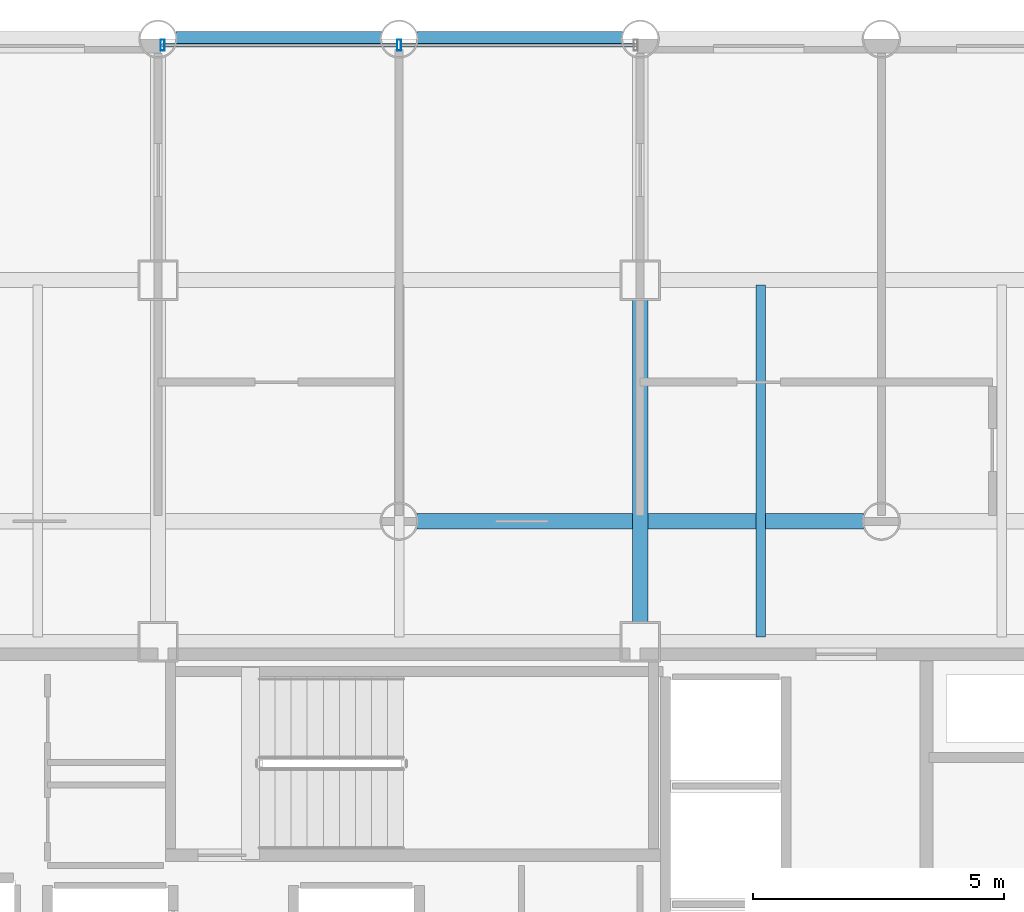
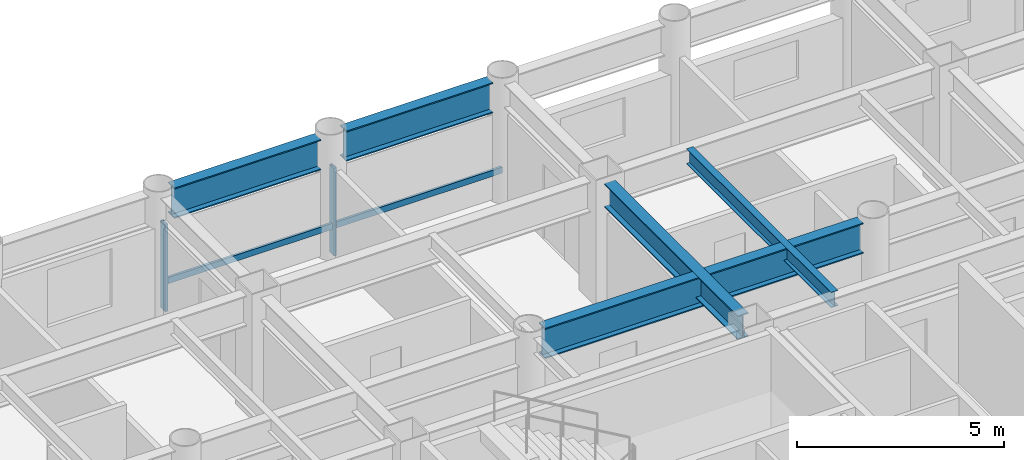
# One storey, part 11 of 20: 5 beams, 4 members, 1 element without a shape of its own.
"""IFC4 building model written with IfcOpenShell, lengths in metres."""

import ifcopenshell
import ifcopenshell.guid

model = None  # the IFC model being written
_history = None  # IfcOwnerHistory: only IFC2X3 demands one
_inside = {}  # id of a spatial element -> (the spatial element, [elements in it])
_under = {}  # id of a project, library or spatial element -> (it, [spatial elements below it])
_declared = {}  # id of a project -> (the project, [libraries it declares])
_typed = {}  # id of a type object -> (the type object, [elements of that type])
_made_of = {}  # id of a material, layer set ... -> (it, [elements and type objects made of it])


def new_model(schema):
    """Start an empty IFC model of exactly this schema.

    Asked for "IFC4X3", IfcOpenShell would pick the latest addendum, in which some entities
    have other attributes; the version numbers below select the first issue.
    IFC2X3 requires an IfcOwnerHistory on every rooted entity: one is made here for all.
    """
    global model, _history
    if schema == "IFC4X3":
        model = ifcopenshell.file(schema_version=(4, 3, 0, 0))
    else:
        model = ifcopenshell.file(schema=schema)
    _inside.clear()
    _under.clear()
    _declared.clear()
    _typed.clear()
    _made_of.clear()
    _history = None
    if model.schema == "IFC2X3":
        org = make("IfcOrganization", Name="unknown")
        user = make(
            "IfcPersonAndOrganization",
            ThePerson=make("IfcPerson", FamilyName="unknown"),
            TheOrganization=org,
        )
        app = make(
            "IfcApplication",
            ApplicationDeveloper=org,
            Version="unknown",
            ApplicationFullName="unknown",
            ApplicationIdentifier="unknown",
        )
        _history = make(
            "IfcOwnerHistory",
            OwningUser=user,
            OwningApplication=app,
            ChangeAction="ADDED",
            CreationDate=0,
        )
    return model


def make(cls, **values):
    """One entity of the class cls with the attributes given. An attribute that is None is left unset."""
    return model.create_entity(
        cls, **{name: value for name, value in values.items() if value is not None}
    )


def rooted(cls, **values):
    """An entity with a GlobalId (a new one), such as an element, a storey or a relation."""
    return make(cls, GlobalId=ifcopenshell.guid.new(), OwnerHistory=_history, **values)


def si_unit(unit_type, name, prefix=None):
    """IfcSIUnit, for example si_unit("LENGTHUNIT", "METRE", prefix="MILLI")."""
    return make("IfcSIUnit", UnitType=unit_type, Prefix=prefix, Name=name)


def assignment(units):
    """IfcUnitAssignment: the units of a project."""
    return None if units is None else make("IfcUnitAssignment", Units=units)


def point(xyz):
    """IfcCartesianPoint."""
    return None if xyz is None else make("IfcCartesianPoint", Coordinates=xyz)


def direction(xyz):
    """IfcDirection."""
    return None if xyz is None else make("IfcDirection", DirectionRatios=xyz)


def frame(location, z_axis=None, x_axis=None):
    """IfcAxis2Placement3D, a coordinate frame: its origin and axes. An axis left out is left unset."""
    return make(
        "IfcAxis2Placement3D",
        Location=point(location),
        Axis=direction(z_axis),
        RefDirection=direction(x_axis),
    )


def frame_2d(location, x_axis=None):
    """IfcAxis2Placement2D, a coordinate frame in the plane: its origin and x axis."""
    return make(
        "IfcAxis2Placement2D", Location=point(location), RefDirection=direction(x_axis)
    )


def origin():
    """The frame at (0, 0, 0) with its axes left unset."""
    return frame((0.0, 0.0, 0.0))


def origin_2d():
    """The frame at (0, 0) in the plane with its x axis left unset."""
    return frame_2d((0.0, 0.0))


def place(relative_to, where):
    """IfcLocalPlacement: puts the frame where relative to a parent placement (None: the world)."""
    return make(
        "IfcLocalPlacement", PlacementRelTo=relative_to, RelativePlacement=where
    )


def context(
    kind, dimensions, precision=None, world=None, true_north=None, identifier=None
):
    """IfcGeometricRepresentationContext, for example the 3D "Model" context."""
    return make(
        "IfcGeometricRepresentationContext",
        ContextIdentifier=identifier,
        ContextType=kind,
        CoordinateSpaceDimension=dimensions,
        Precision=precision,
        WorldCoordinateSystem=world,
        TrueNorth=true_north,
    )


def subcontext(parent, identifier, kind, view, scale=None):
    """IfcGeometricRepresentationSubContext, for example "Body" below "Model"."""
    return make(
        "IfcGeometricRepresentationSubContext",
        ContextIdentifier=identifier,
        ContextType=kind,
        ParentContext=parent,
        TargetScale=scale,
        TargetView=view,
    )


def project(units=None, contexts=None):
    """IfcProject with its units and contexts."""
    return rooted(
        "IfcProject",
        Name="project",
        RepresentationContexts=contexts,
        UnitsInContext=assignment(units),
    )


def spatial(cls, under=None, at=None, **own):
    """A site, building, storey or space (cls), placed at a placement, below another one or the project."""
    s = rooted(cls, ObjectPlacement=at, **own)
    if under is not None:
        _under.setdefault(under.id(), (under, []))[1].append(s)
    return s


def profile(cls, at=None, kind="AREA", **sizes):
    """A parametric profile (cls). Its sizes go by their IFC names, for example OverallWidth=200.0."""
    return make(cls, ProfileType=kind, Position=at, **sizes)


def hollow_rectangle(**sizes):
    """IfcRectangleHollowProfileDef."""
    return profile("IfcRectangleHollowProfileDef", **sizes)


def i_section(**sizes):
    """IfcIShapeProfileDef."""
    return profile("IfcIShapeProfileDef", **sizes)


def extrude(swept, where, along, depth):
    """IfcExtrudedAreaSolid: the profile swept, set in the frame where, extruded along a direction by depth."""
    return make(
        "IfcExtrudedAreaSolid",
        SweptArea=swept,
        Position=where,
        ExtrudedDirection=direction(along),
        Depth=depth,
    )


def shape(context_of_items, identifier, shape_type, items):
    """IfcShapeRepresentation: the items that make up one representation, for example the "Body"."""
    return make(
        "IfcShapeRepresentation",
        ContextOfItems=context_of_items,
        RepresentationIdentifier=identifier,
        RepresentationType=shape_type,
        Items=items,
    )


def material(Name=None, Category=None):
    """IfcMaterial."""
    return make("IfcMaterial", Name=Name, Category=Category)


def layer(
    of_material, thickness, ventilated=None, Name=None, Category=None, Priority=None
):
    """IfcMaterialLayer: one layer of a wall or slab, of a material (None: an air gap)."""
    return make(
        "IfcMaterialLayer",
        Material=of_material,
        LayerThickness=thickness,
        IsVentilated=ventilated,
        Name=Name,
        Category=Category,
        Priority=Priority,
    )


def layer_set(layers, Name=None):
    """IfcMaterialLayerSet."""
    return make("IfcMaterialLayerSet", MaterialLayers=layers, LayerSetName=Name)


def material_profile(
    of_material, cross_section, Name=None, Category=None, Priority=None
):
    """IfcMaterialProfile: a cross section and its material."""
    return make(
        "IfcMaterialProfile",
        Name=Name,
        Material=of_material,
        Profile=cross_section,
        Priority=Priority,
        Category=Category,
    )


def profile_set(profiles, Name=None, composite=None):
    """IfcMaterialProfileSet."""
    return make(
        "IfcMaterialProfileSet",
        Name=Name,
        MaterialProfiles=profiles,
        CompositeProfile=composite,
    )


def made_of(thing, what):
    """Note that an element or type object is made of a material, layer set ...; save() writes the relation."""
    if what is not None:
        _made_of.setdefault(what.id(), (what, []))[1].append(thing)
    return thing


def type_object(cls, material=None, **own):
    """A type object (cls), such as IfcWallType, which elements share."""
    return made_of(rooted(cls, **own), material)


def element(
    cls,
    number,
    at=None,
    inside=None,
    cuts=None,
    type_object=None,
    material=None,
    context=None,
    identifier="Body",
    shape_type=None,
    held_by="IfcProductDefinitionShape",
    body=None,
    shapes=None,
    **own,
):
    """One element of the class cls, such as IfcWall. Its Tag is "e" and its number.

    at: its placement. inside: the storey or other place that contains it. cuts: it is an
    opening in that element (IfcRelVoidsElement). A single representation is given by context,
    identifier, shape_type and body (its items); several are given by shapes. held_by: the class
    of the entity that holds the representations. save() writes the other relations.
    """
    e = rooted(cls, Tag="e%d" % number, ObjectPlacement=at, **own)
    if body is not None:
        shapes = [shape(context, identifier, shape_type, body)]
    if shapes is not None:
        e.Representation = make(held_by, Representations=shapes)
    if inside is not None:
        _inside.setdefault(inside.id(), (inside, []))[1].append(e)
    if cuts is not None:
        rooted(
            "IfcRelVoidsElement", RelatingBuildingElement=cuts, RelatedOpeningElement=e
        )
    if type_object is not None:
        _typed.setdefault(type_object.id(), (type_object, []))[1].append(e)
    return made_of(e, material)


def aggregate(whole, parts):
    """IfcRelAggregates: a whole, such as a stair, and the parts it consists of."""
    return rooted("IfcRelAggregates", RelatingObject=whole, RelatedObjects=parts)


def save(model, path):
    """Write the relations noted so far, then the file.

    IfcRelAggregates (storeys below a building ...), IfcRelContainedInSpatialStructure (elements
    in a storey), IfcRelDefinesByType, IfcRelAssociatesMaterial and IfcRelDeclares: one each for
    every whole, place, type object, material and project.
    """
    for whole, parts in _under.values():
        aggregate(whole, parts)
    for where, things in _inside.values():
        rooted(
            "IfcRelContainedInSpatialStructure",
            RelatedElements=things,
            RelatingStructure=where,
        )
    for kind, things in _typed.values():
        rooted("IfcRelDefinesByType", RelatedObjects=things, RelatingType=kind)
    for what, things in _made_of.values():
        rooted("IfcRelAssociatesMaterial", RelatedObjects=things, RelatingMaterial=what)
    for by, libraries in _declared.values():
        rooted("IfcRelDeclares", RelatingContext=by, RelatedDefinitions=libraries)
    model.write(path)


model = new_model("IFC4")

# Units and contexts
model_context = context("Model", 3, precision=1e-05, world=origin(), true_north=direction((0.0, 1.0)))
body_context = subcontext(model_context, "Body", "Model", "MODEL_VIEW")
ifc_project = project(units=[si_unit("LENGTHUNIT", "METRE"), si_unit("AREAUNIT", "SQUARE_METRE"), si_unit("VOLUMEUNIT", "CUBIC_METRE"), si_unit("PLANEANGLEUNIT", "RADIAN"), si_unit("MASSUNIT", "GRAM", prefix="KILO")], contexts=[model_context])

# Site, building, storey
site_placement = place(None, origin())
site = spatial("IfcSite", under=ifc_project, at=site_placement, CompositionType="ELEMENT")
building_placement = place(site_placement, origin())
building = spatial("IfcBuilding", under=site, at=building_placement, Name="Kallvorn Hotel Tower", CompositionType="ELEMENT")
storey_placement = place(building_placement, frame((0.0, 0.0, 70.699951171875)))
storey = spatial("IfcBuildingStorey", under=building, at=storey_placement, Name="L16", CompositionType="ELEMENT", Elevation=70.699951171875)

# Beams
ifc_material_1 = material(Name="Structural steel S355JR", Category="steel")
ifc_material_profile_1 = material_profile(ifc_material_1, i_section(OverallWidth=0.300048828125, OverallDepth=0.699951171875, WebThickness=0.01708984375, FlangeThickness=0.031982421875, at=origin_2d()), Name="HE 700 B")
ifc_profile_set_1 = profile_set([ifc_material_profile_1], Name="Structural steel S355JR")
beam_type_1 = type_object("IfcBeamType", Name="BM_HE700B", PredefinedType="BEAM", material=ifc_profile_set_1)
beam_1_placement = place(storey_placement, frame((4.800048828125, 7.574951171875, 3.170166015625), z_axis=(0.0, 1.0, 0.0), x_axis=(-1.0, 0.0, 0.0)))
element("IfcBeam", 1, at=beam_1_placement, inside=storey, type_object=beam_type_1, Name="L17 Primary Y-Girder 116", PredefinedType="BEAM", context=body_context, shape_type="SweptSolid", body=[
    extrude(i_section(OverallWidth=0.300048828125, OverallDepth=0.699951171875, WebThickness=0.01708984375, FlangeThickness=0.031982421875, at=origin_2d()), origin(), (0.0, 0.0, 1.0), 6.449951171875),
])
ifc_material_2 = material(Name="Structural steel S355JR", Category="steel")
ifc_material_profile_2 = material_profile(ifc_material_2, i_section(OverallWidth=0.300048828125, OverallDepth=0.89990234375, WebThickness=0.0185546875, FlangeThickness=0.034912109375, at=origin_2d()), Name="HE 900 B")
ifc_profile_set_2 = profile_set([ifc_material_profile_2], Name="Structural steel S355JR")
beam_type_2 = type_object("IfcBeamType", Name="BM_HE900B", PredefinedType="BEAM", material=ifc_profile_set_2)
beam_2_placement = place(storey_placement, frame((0.35595703125, 9.60009765625, 3.070068359375), z_axis=(1.0, 0.0, 0.0), x_axis=(0.0, 1.0, 0.0)))
element("IfcBeam", 2, at=beam_2_placement, inside=storey, type_object=beam_type_2, Name="L17 Primary X-Girder 46", PredefinedType="BEAM", context=body_context, shape_type="SweptSolid", body=[
    extrude(i_section(OverallWidth=0.300048828125, OverallDepth=0.89990234375, WebThickness=0.0185546875, FlangeThickness=0.034912109375, at=origin_2d()), origin(), (0.0, 0.0, 1.0), 8.887939453125),
])
for number, where, z_axis, x_axis, name in (
    (3, (-4.444091796875, 19.199951171875, 3.070068359375), (1.0, 0.0, 0.0), (0.0, 1.0, 0.0), "L17 Primary X-Girder 66"),
    (4, (0.35595703125, 19.199951171875, 3.070068359375), (1.0, 0.0, 0.0), (0.0, 1.0, 0.0), "L17 Primary X-Girder 67"),
):
    element("IfcBeam", number, at=place(storey_placement, frame(where, z_axis=z_axis, x_axis=x_axis)), inside=storey, type_object=beam_type_2, Name=name, PredefinedType="BEAM", context=body_context, shape_type="SweptSolid", body=[
        extrude(i_section(OverallWidth=0.300048828125, OverallDepth=0.89990234375, WebThickness=0.0185546875, FlangeThickness=0.034912109375, at=origin_2d()), origin(), (0.0, 0.0, 1.0), 4.088134765625),
    ])
ifc_material_3 = material(Name="Structural steel S355JR", Category="steel")
ifc_material_profile_3 = material_profile(ifc_material_3, i_section(OverallWidth=0.18994140625, OverallDepth=0.449951171875, WebThickness=0.009521484375, FlangeThickness=0.0146484375, at=origin_2d()), Name="IPE 450")
ifc_profile_set_3 = profile_set([ifc_material_profile_3], Name="Structural steel S355JR")
beam_type_3 = type_object("IfcBeamType", Name="BM_IPE450", PredefinedType="JOIST", material=ifc_profile_set_3)
beam_3_placement = place(storey_placement, frame((7.199951171875, 7.300048828125, 3.295166015625), z_axis=(0.0, 1.0, 0.0), x_axis=(-1.0, 0.0, 0.0)))
element("IfcBeam", 5, at=beam_3_placement, inside=storey, type_object=beam_type_3, Name="L17 Secondary Composite Joist 203", PredefinedType="JOIST", context=body_context, shape_type="SweptSolid", body=[
    extrude(i_section(OverallWidth=0.18994140625, OverallDepth=0.449951171875, WebThickness=0.009521484375, FlangeThickness=0.0146484375, at=origin_2d()), origin(), (0.0, 0.0, 1.0), 7.0),
])

# Curtain wall, members
ifc_material_4 = material(Name="Thermally broken black-anodised aluminium AA 6063-T6", Category="aluminium")
ifc_layer = layer(ifc_material_4, 0.199951171875)
ifc_layer_set = layer_set([ifc_layer], Name="CW_SYS_3_HOTEL_LOW")
curtain_wall_type = type_object("IfcCurtainWallType", Name="CW_SYS_3_HOTEL_LOW", PredefinedType="USERDEFINED", material=ifc_layer_set)
curtain_wall_placement = place(storey_placement, origin())
curtain_wall = element("IfcCurtainWall", 6, at=curtain_wall_placement, inside=storey, type_object=curtain_wall_type, Name="L16 Dark-Glass Curtain Wall CW-L16-NC", ObjectType="UNITISED CURTAIN WALL", PredefinedType="USERDEFINED")
ifc_material_5 = material(Name="Thermally broken black-anodised aluminium AA 6063-T6", Category="aluminium")
ifc_material_profile_4 = material_profile(ifc_material_5, hollow_rectangle(XDim=0.080078125, YDim=0.219970703125, WallThickness=0.0048828125, at=origin_2d()), Name="MUL 220x80")
ifc_profile_set_4 = profile_set([ifc_material_profile_4], Name="Thermally broken black-anodised aluminium AA 6063-T6")
member_type_1 = type_object("IfcMemberType", Name="CW_MULLION_220x80", PredefinedType="MULLION", material=ifc_profile_set_4)
member_1_placement = place(storey_placement, frame((-4.7099609375, 19.080078125, 0.02001953125), z_axis=(0.0, 0.0, 1.0), x_axis=(1.0, 0.0, 0.0)))
member_1 = element("IfcMember", 7, at=member_1_placement, type_object=member_type_1, Name="CW-L16-NC Mullion 00", PredefinedType="MULLION", context=body_context, shape_type="SweptSolid", body=[
    extrude(hollow_rectangle(XDim=0.080078125, YDim=0.219970703125, WallThickness=0.0048828125, at=origin_2d()), origin(), (0.0, 0.0, 1.0), 2.580078125),
])
member_2_placement = place(storey_placement, frame((0.0, 19.080078125, 0.02001953125), z_axis=(0.0, 0.0, 1.0), x_axis=(1.0, 0.0, 0.0)))
member_2 = element("IfcMember", 8, at=member_2_placement, type_object=member_type_1, Name="CW-L16-NC Mullion 01", PredefinedType="MULLION", context=body_context, shape_type="SweptSolid", body=[
    extrude(hollow_rectangle(XDim=0.080078125, YDim=0.219970703125, WallThickness=0.0048828125, at=origin_2d()), origin(), (0.0, 0.0, 1.0), 2.580078125),
])
ifc_material_6 = material(Name="Thermally broken black-anodised aluminium AA 6063-T6", Category="aluminium")
ifc_material_profile_5 = material_profile(ifc_material_6, hollow_rectangle(XDim=0.070068359375, YDim=0.179931640625, WallThickness=0.00390625, at=origin_2d()), Name="TRN 180x70")
ifc_profile_set_5 = profile_set([ifc_material_profile_5], Name="Thermally broken black-anodised aluminium AA 6063-T6")
member_type_2 = type_object("IfcMemberType", Name="CW_TRANSOM_180x70", PredefinedType="USERDEFINED", material=ifc_profile_set_5)
member_3_placement = place(storey_placement, frame((-4.7099609375, 19.080078125, 0.85009765625), z_axis=(1.0, 0.0, 0.0), x_axis=(0.0, 1.0, 0.0)))
member_3 = element("IfcMember", 9, at=member_3_placement, type_object=member_type_2, Name="CW-L16-NC Transom 00M", ObjectType="TRANSOM", PredefinedType="USERDEFINED", context=body_context, shape_type="SweptSolid", body=[
    extrude(hollow_rectangle(XDim=0.070068359375, YDim=0.179931640625, WallThickness=0.00390625, at=origin_2d()), origin(), (0.0, 0.0, 1.0), 4.669921875),
])
member_4_placement = place(storey_placement, frame((0.0400390625, 19.080078125, 0.85009765625), z_axis=(1.0, 0.0, 0.0), x_axis=(0.0, 1.0, 0.0)))
member_4 = element("IfcMember", 10, at=member_4_placement, type_object=member_type_2, Name="CW-L16-NC Transom 01M", ObjectType="TRANSOM", PredefinedType="USERDEFINED", context=body_context, shape_type="SweptSolid", body=[
    extrude(hollow_rectangle(XDim=0.070068359375, YDim=0.179931640625, WallThickness=0.00390625, at=origin_2d()), origin(), (0.0, 0.0, 1.0), 4.669921875),
])
aggregate(curtain_wall, [member_1, member_2, member_3, member_4])

save(model, "model.ifc")
